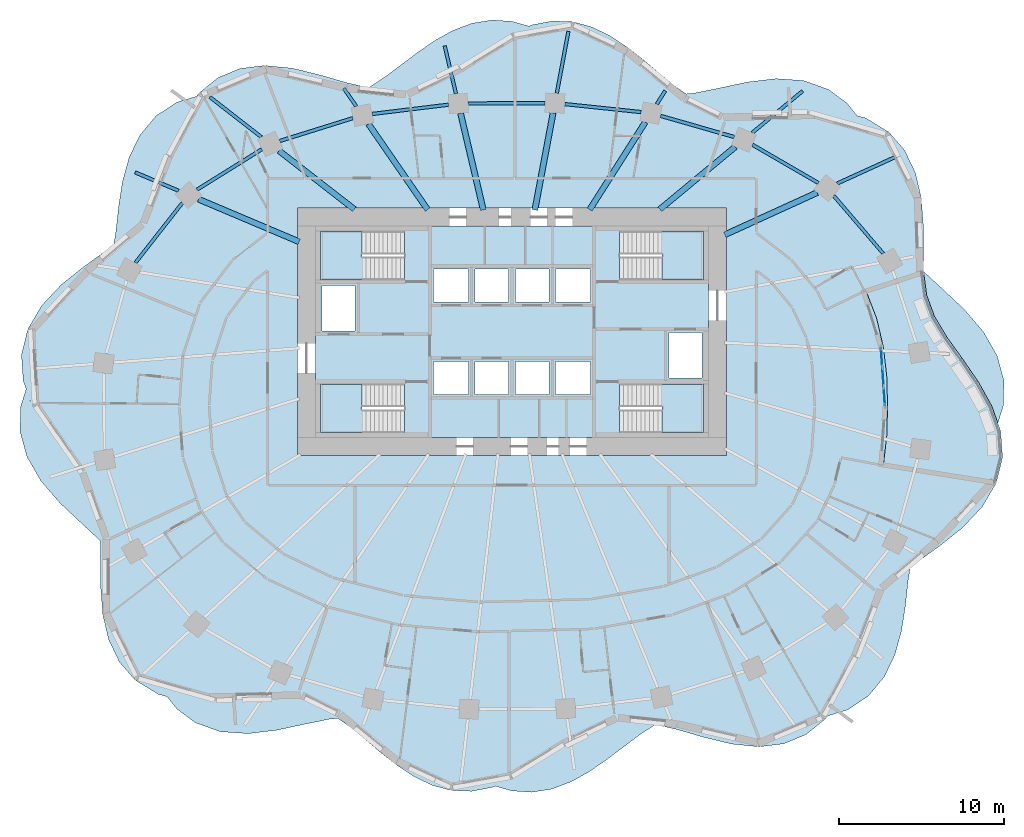
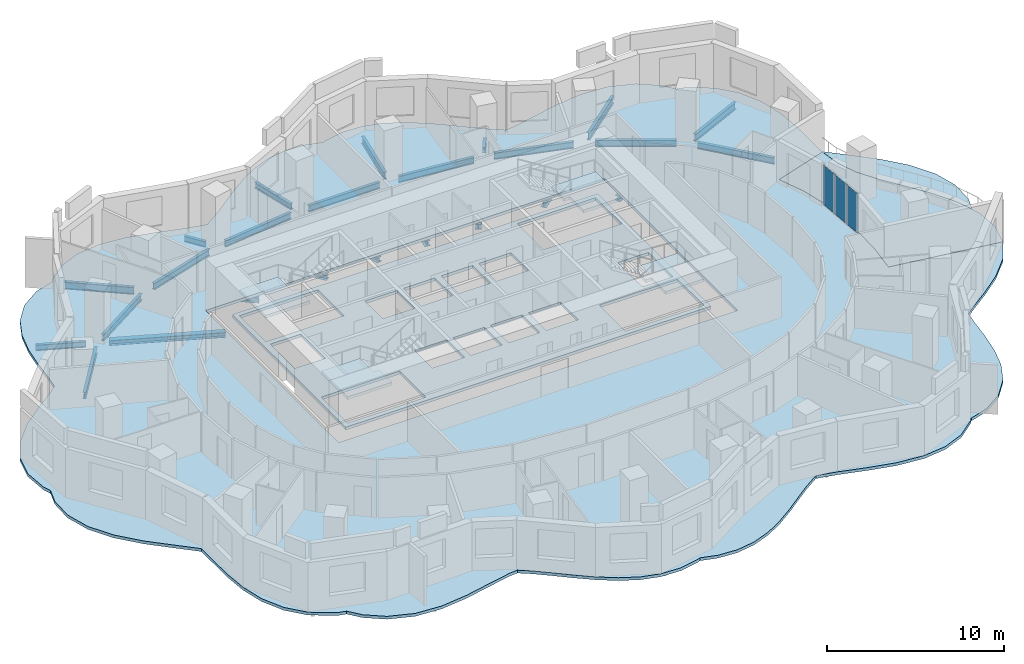
# One storey, part 3 of 13: 25 beams, 7 slabs, 3 plates, 5 elements without a shape of their own.
"""IFC4 building model written with IfcOpenShell, lengths in metres."""

from ifc_helpers import new_model, si_unit, direction, frame, origin, origin_2d, place, context, subcontext, project, spatial, polyline, rectangle, i_section, outline, extrude, material, layer, layer_set, material_profile, profile_set, type_object, element, aggregate, save


model = new_model("IFC4")

# Units and contexts
model_context = context("Model", 3, precision=1e-05, world=origin(), true_north=direction((0.0, 1.0)))
body_context = subcontext(model_context, "Body", "Model", "MODEL_VIEW")
ifc_project = project(units=[si_unit("LENGTHUNIT", "METRE"), si_unit("AREAUNIT", "SQUARE_METRE"), si_unit("VOLUMEUNIT", "CUBIC_METRE"), si_unit("PLANEANGLEUNIT", "RADIAN"), si_unit("MASSUNIT", "GRAM", prefix="KILO")], contexts=[model_context])

# Site, building, storey
site_placement = place(None, origin())
site = spatial("IfcSite", under=ifc_project, at=site_placement, CompositionType="ELEMENT")
building_placement = place(site_placement, origin())
building = spatial("IfcBuilding", under=site, at=building_placement, Name="Rubra Terraces Tower", CompositionType="ELEMENT")
storey_placement = place(building_placement, frame((0.0, 0.0, 85.199951171875)))
storey = spatial("IfcBuildingStorey", under=building, at=storey_placement, Name="L19", CompositionType="ELEMENT", Elevation=85.199951171875)

# Beams
ifc_material_1 = material(Name="Steel Q355B", Category="steel")
ifc_material_profile_1 = material_profile(ifc_material_1, i_section(OverallWidth=0.199951171875, OverallDepth=0.39990234375, WebThickness=0.008056640625, FlangeThickness=0.012939453125, at=origin_2d()), Name="HN 400x200x8x13")
ifc_profile_set_1 = profile_set([ifc_material_profile_1], Name="Steel Q355B")
beam_type_1 = type_object("IfcBeamType", Name="CANTILEVER BEAM HN 400x200x8x13", PredefinedType="BEAM", material=ifc_profile_set_1)
beam_1_placement = place(storey_placement, frame((-3.39306640625, 18.922119140625, -0.39990234375), z_axis=(-0.229208331065, 0.973377388771, 0.0), x_axis=(-0.973377388771, -0.229208331065, 0.0)))
element("IfcBeam", 1, at=beam_1_placement, inside=storey, type_object=beam_type_1, Name="beam-L19-cant-07", PredefinedType="BEAM", context=body_context, shape_type="SweptSolid", body=[
    extrude(i_section(OverallWidth=0.199951171875, OverallDepth=0.39990234375, WebThickness=0.008056640625, FlangeThickness=0.012939453125, at=origin_2d()), origin(), (0.0, 0.0, 1.0), 2.979248046875),
])
beam_2_placement = place(storey_placement, frame((-20.202880859375, 13.048095703125, -0.39990234375), z_axis=(-0.920934147462, 0.389718226465, 0.0), x_axis=(-0.389718226465, -0.920934147462, 0.0)))
element("IfcBeam", 2, at=beam_2_placement, inside=storey, type_object=beam_type_1, Name="beam-L19-cant-10", PredefinedType="BEAM", context=body_context, shape_type="SweptSolid", body=[
    extrude(i_section(OverallWidth=0.199951171875, OverallDepth=0.39990234375, WebThickness=0.008056640625, FlangeThickness=0.012939453125, at=origin_2d()), origin(), (0.0, 0.0, 1.0), 2.850341796875),
])
ifc_material_profile_2 = material_profile(ifc_material_1, i_section(OverallWidth=0.198974609375, OverallDepth=0.49609375, WebThickness=0.009033203125, FlangeThickness=0.013916015625, at=origin_2d()), Name="HN 496x199x9x14")
ifc_profile_set_2 = profile_set([ifc_material_profile_2], Name="Steel Q355B")
beam_type_2 = type_object("IfcBeamType", Name="CANTILEVER BEAM HN 496x199x9x14", PredefinedType="BEAM", material=ifc_profile_set_2)
beam_3_placement = place(storey_placement, frame((19.697998046875, 13.485107421875, -0.447998046875), z_axis=(0.909768687771, 0.415115567947, 0.0), x_axis=(-0.415115567947, 0.909768687771, 0.0)))
element("IfcBeam", 3, at=beam_3_placement, inside=storey, type_object=beam_type_2, Name="beam-L19-cant-03", PredefinedType="BEAM", context=body_context, shape_type="SweptSolid", body=[
    extrude(i_section(OverallWidth=0.198974609375, OverallDepth=0.49609375, WebThickness=0.009033203125, FlangeThickness=0.013916015625, at=origin_2d()), origin(), (0.0, 0.0, 1.0), 3.950439453125),
])
beam_4_placement = place(storey_placement, frame((14.56201171875, 16.56689453125, -0.447998046875), z_axis=(0.769981645212, 0.638066035796, 0.0), x_axis=(-0.638066035796, 0.769981645212, 0.0)))
element("IfcBeam", 4, at=beam_4_placement, inside=storey, type_object=beam_type_2, Name="beam-L19-cant-04", PredefinedType="BEAM", context=body_context, shape_type="SweptSolid", body=[
    extrude(i_section(OverallWidth=0.198974609375, OverallDepth=0.49609375, WebThickness=0.009033203125, FlangeThickness=0.013916015625, at=origin_2d()), origin(), (0.0, 0.0, 1.0), 3.949462890625),
])
beam_5_placement = place(storey_placement, frame((2.714111328125, 18.952880859375, -0.447998046875), z_axis=(0.184412291305, 0.982848974571, 0.0), x_axis=(-0.982848974571, 0.184412291305, 0.0)))
element("IfcBeam", 5, at=beam_5_placement, inside=storey, type_object=beam_type_2, Name="beam-L19-cant-06", PredefinedType="BEAM", context=body_context, shape_type="SweptSolid", body=[
    extrude(i_section(OverallWidth=0.198974609375, OverallDepth=0.49609375, WebThickness=0.009033203125, FlangeThickness=0.013916015625, at=origin_2d()), origin(), (0.0, 0.0, 1.0), 3.8115234375),
])
beam_6_placement = place(storey_placement, frame((-15.177001953125, 16.2958984375, -0.447998046875), z_axis=(-0.789565161109, 0.613666730696, 0.0), x_axis=(-0.613666730696, -0.789565161109, 0.0)))
element("IfcBeam", 6, at=beam_6_placement, inside=storey, type_object=beam_type_2, Name="beam-L19-cant-09", PredefinedType="BEAM", context=body_context, shape_type="SweptSolid", body=[
    extrude(i_section(OverallWidth=0.198974609375, OverallDepth=0.49609375, WebThickness=0.009033203125, FlangeThickness=0.013916015625, at=origin_2d()), origin(), (0.0, 0.0, 1.0), 3.9501953125),
])
ifc_material_profile_3 = material_profile(ifc_material_1, i_section(OverallWidth=0.199951171875, OverallDepth=0.39990234375, WebThickness=0.008056640625, FlangeThickness=0.012939453125, at=origin_2d()), Name="HN 400x200x8x13")
ifc_profile_set_3 = profile_set([ifc_material_profile_3], Name="Steel Q355B")
beam_type_3 = type_object("IfcBeamType", Name="CANTILEVER STUB HN 400x200x8x13", PredefinedType="BEAM", material=ifc_profile_set_3)
beam_7_placement = place(storey_placement, frame((8.76806640625, 18.29296875, -0.39990234375), z_axis=(0.536431047595, 0.843944151693, 0.0), x_axis=(-0.843944151693, 0.536431047595, 0.0)))
element("IfcBeam", 7, at=beam_7_placement, inside=storey, type_object=beam_type_3, Name="beam-L19-cant-05", PredefinedType="BEAM", context=body_context, shape_type="SweptSolid", body=[
    extrude(i_section(OverallWidth=0.199951171875, OverallDepth=0.39990234375, WebThickness=0.008056640625, FlangeThickness=0.012939453125, at=origin_2d()), origin(), (0.0, 0.0, 1.0), 0.9599609375),
])
beam_8_placement = place(storey_placement, frame((-9.431884765625, 18.158935546875, -0.39990234375), z_axis=(-0.56825300063, 0.822853891815, 0.0), x_axis=(-0.822853891815, -0.56825300063, 0.0)))
element("IfcBeam", 8, at=beam_8_placement, inside=storey, type_object=beam_type_3, Name="beam-L19-cant-08", PredefinedType="BEAM", context=body_context, shape_type="SweptSolid", body=[
    extrude(i_section(OverallWidth=0.199951171875, OverallDepth=0.39990234375, WebThickness=0.008056640625, FlangeThickness=0.012939453125, at=origin_2d()), origin(), (0.0, 0.0, 1.0), 1.3271484375),
])
ifc_material_profile_4 = material_profile(ifc_material_1, i_section(OverallWidth=0.35009765625, OverallDepth=0.35009765625, WebThickness=0.011962890625, FlangeThickness=0.01904296875, at=origin_2d()), Name="HW 350x350x12x19")
ifc_profile_set_4 = profile_set([ifc_material_profile_4], Name="Steel Q355B")
beam_type_4 = type_object("IfcBeamType", Name="FLOOR BEAM HW 350x350x12x19", PredefinedType="BEAM", material=ifc_profile_set_4)
beam_9_placement = place(storey_placement, frame((18.486083984375, 12.93310546875, -0.375), z_axis=(-0.909749612827, -0.415157370116, 0.0), x_axis=(0.415157370116, -0.909749612827, 0.0)))
element("IfcBeam", 9, at=beam_9_placement, inside=storey, type_object=beam_type_4, Name="beam-L19-floor-03", PredefinedType="BEAM", context=body_context, shape_type="SweptSolid", body=[
    extrude(i_section(OverallWidth=0.35009765625, OverallDepth=0.35009765625, WebThickness=0.011962890625, FlangeThickness=0.01904296875, at=origin_2d()), origin(), (0.0, 0.0, 1.0), 6.14990234375),
])
beam_10_placement = place(storey_placement, frame((13.52197265625, 15.705078125, -0.375), z_axis=(-0.769987448283, -0.638059032917, 0.0), x_axis=(0.638059032917, -0.769987448283, 0.0)))
element("IfcBeam", 10, at=beam_10_placement, inside=storey, type_object=beam_type_4, Name="beam-L19-floor-04", PredefinedType="BEAM", context=body_context, shape_type="SweptSolid", body=[
    extrude(i_section(OverallWidth=0.35009765625, OverallDepth=0.35009765625, WebThickness=0.011962890625, FlangeThickness=0.01904296875, at=origin_2d()), origin(), (0.0, 0.0, 1.0), 5.92724609375),
])
beam_11_placement = place(storey_placement, frame((8.075927734375, 17.205078125, -0.375), z_axis=(-0.536468405163, -0.843920405169, 0.0), x_axis=(0.843920405169, -0.536468405163, 0.0)))
element("IfcBeam", 11, at=beam_11_placement, inside=storey, type_object=beam_type_4, Name="beam-L19-floor-05", PredefinedType="BEAM", context=body_context, shape_type="SweptSolid", body=[
    extrude(i_section(OverallWidth=0.35009765625, OverallDepth=0.35009765625, WebThickness=0.011962890625, FlangeThickness=0.01904296875, at=origin_2d()), origin(), (0.0, 0.0, 1.0), 6.28759765625),
])
beam_12_placement = place(storey_placement, frame((2.489990234375, 17.762939453125, -0.375), z_axis=(-0.184505318504, -0.982831515288, 0.0), x_axis=(0.982831515288, -0.184505318504, 0.0)))
element("IfcBeam", 12, at=beam_12_placement, inside=storey, type_object=beam_type_4, Name="beam-L19-floor-06", PredefinedType="BEAM", context=body_context, shape_type="SweptSolid", body=[
    extrude(i_section(OverallWidth=0.35009765625, OverallDepth=0.35009765625, WebThickness=0.011962890625, FlangeThickness=0.01904296875, at=origin_2d()), origin(), (0.0, 0.0, 1.0), 5.983642578125),
])
beam_13_placement = place(storey_placement, frame((-3.114990234375, 17.738037109375, -0.375), z_axis=(0.229084580284, -0.973406520975, 0.0), x_axis=(0.973406520975, 0.229084580284, 0.0)))
element("IfcBeam", 13, at=beam_13_placement, inside=storey, type_object=beam_type_4, Name="beam-L19-floor-07", PredefinedType="BEAM", context=body_context, shape_type="SweptSolid", body=[
    extrude(i_section(OverallWidth=0.35009765625, OverallDepth=0.35009765625, WebThickness=0.011962890625, FlangeThickness=0.01904296875, at=origin_2d()), origin(), (0.0, 0.0, 1.0), 6.014892578125),
])
beam_14_placement = place(storey_placement, frame((-8.694091796875, 17.091064453125, -0.375), z_axis=(0.568116443955, -0.822948179479, 0.0), x_axis=(0.822948179479, 0.568116443955, 0.0)))
element("IfcBeam", 14, at=beam_14_placement, inside=storey, type_object=beam_type_4, Name="beam-L19-floor-08", PredefinedType="BEAM", context=body_context, shape_type="SweptSolid", body=[
    extrude(i_section(OverallWidth=0.35009765625, OverallDepth=0.35009765625, WebThickness=0.011962890625, FlangeThickness=0.01904296875, at=origin_2d()), origin(), (0.0, 0.0, 1.0), 6.306884765625),
])
beam_15_placement = place(storey_placement, frame((-14.10888671875, 15.466064453125, -0.375), z_axis=(0.789514006973, -0.613732541742, 0.0), x_axis=(0.613732541742, 0.789514006973, 0.0)))
element("IfcBeam", 15, at=beam_15_placement, inside=storey, type_object=beam_type_4, Name="beam-L19-floor-09", PredefinedType="BEAM", context=body_context, shape_type="SweptSolid", body=[
    extrude(i_section(OverallWidth=0.35009765625, OverallDepth=0.35009765625, WebThickness=0.011962890625, FlangeThickness=0.01904296875, at=origin_2d()), origin(), (0.0, 0.0, 1.0), 5.76806640625),
])
beam_16_placement = place(storey_placement, frame((-18.98291015625, 12.531982421875, -0.375), z_axis=(0.920986092, -0.389595454726, 0.0), x_axis=(0.389595454726, 0.920986092, 0.0)))
element("IfcBeam", 16, at=beam_16_placement, inside=storey, type_object=beam_type_4, Name="beam-L19-floor-10", PredefinedType="BEAM", context=body_context, shape_type="SweptSolid", body=[
    extrude(i_section(OverallWidth=0.35009765625, OverallDepth=0.35009765625, WebThickness=0.011962890625, FlangeThickness=0.01904296875, at=origin_2d()), origin(), (0.0, 0.0, 1.0), 6.61669921875),
])
ifc_material_profile_5 = material_profile(ifc_material_1, i_section(OverallWidth=0.198974609375, OverallDepth=0.446044921875, WebThickness=0.008056640625, FlangeThickness=0.011962890625, at=origin_2d()), Name="HN 446x199x8x12")
ifc_profile_set_5 = profile_set([ifc_material_profile_5], Name="Steel Q355B")
beam_type_5 = type_object("IfcBeamType", Name="SPANDREL BEAM HN 446x199x8x12", PredefinedType="SPANDREL", material=ifc_profile_set_5)
beam_17_placement = place(storey_placement, frame((22.48095703125, 9.251953125, -0.4228515625), z_axis=(-0.650428637413, 0.759567368726, 0.0), x_axis=(-0.759567368726, -0.650428637413, 0.0)))
element("IfcBeam", 17, at=beam_17_placement, inside=storey, type_object=beam_type_5, Name="beam-L19-spandrel-02", PredefinedType="SPANDREL", context=body_context, shape_type="SweptSolid", body=[
    extrude(i_section(OverallWidth=0.198974609375, OverallDepth=0.446044921875, WebThickness=0.008056640625, FlangeThickness=0.011962890625, at=origin_2d()), origin(), (0.0, 0.0, 1.0), 4.6015625),
])
beam_18_placement = place(storey_placement, frame((18.56494140625, 13.513916015625, -0.4228515625), z_axis=(-0.865116425734, 0.501571101565, 0.0), x_axis=(-0.501571101565, -0.865116425734, 0.0)))
element("IfcBeam", 18, at=beam_18_placement, inside=storey, type_object=beam_type_5, Name="beam-L19-spandrel-03", PredefinedType="SPANDREL", context=body_context, shape_type="SweptSolid", body=[
    extrude(i_section(OverallWidth=0.198974609375, OverallDepth=0.446044921875, WebThickness=0.008056640625, FlangeThickness=0.011962890625, at=origin_2d()), origin(), (0.0, 0.0, 1.0), 4.62353515625),
])
beam_19_placement = place(storey_placement, frame((13.4609375, 16.302978515625, -0.4228515625), z_axis=(-0.961195652649, 0.275867572085, 0.0), x_axis=(-0.275867572085, -0.961195652649, 0.0)))
element("IfcBeam", 19, at=beam_19_placement, inside=storey, type_object=beam_type_5, Name="beam-L19-spandrel-04", PredefinedType="SPANDREL", context=body_context, shape_type="SweptSolid", body=[
    extrude(i_section(OverallWidth=0.198974609375, OverallDepth=0.446044921875, WebThickness=0.008056640625, FlangeThickness=0.011962890625, at=origin_2d()), origin(), (0.0, 0.0, 1.0), 4.639892578125),
])
beam_20_placement = place(storey_placement, frame((7.822998046875, 17.81201171875, -0.4228515625), z_axis=(-0.994588599148, 0.103891859374, 0.0), x_axis=(-0.103891859374, -0.994588599148, 0.0)))
element("IfcBeam", 20, at=beam_20_placement, inside=storey, type_object=beam_type_5, Name="beam-L19-spandrel-05", PredefinedType="SPANDREL", context=body_context, shape_type="SweptSolid", body=[
    extrude(i_section(OverallWidth=0.198974609375, OverallDepth=0.446044921875, WebThickness=0.008056640625, FlangeThickness=0.011962890625, at=origin_2d()), origin(), (0.0, 0.0, 1.0), 4.648193359375),
])
beam_21_placement = place(storey_placement, frame((2.0009765625, 18.35498046875, -0.4228515625), z_axis=(-0.99998885538, -0.004721135025, 0.0), x_axis=(0.004721135025, -0.99998885538, 0.0)))
element("IfcBeam", 21, at=beam_21_placement, inside=storey, type_object=beam_type_5, Name="beam-L19-spandrel-06", PredefinedType="SPANDREL", context=body_context, shape_type="SweptSolid", body=[
    extrude(i_section(OverallWidth=0.198974609375, OverallDepth=0.446044921875, WebThickness=0.008056640625, FlangeThickness=0.011962890625, at=origin_2d()), origin(), (0.0, 0.0, 1.0), 4.654052734375),
])
beam_22_placement = place(storey_placement, frame((-3.85107421875, 18.258056640625, -0.4228515625), z_axis=(-0.992713612833, -0.120497646851, 0.0), x_axis=(0.120497646851, -0.992713612833, 0.0)))
element("IfcBeam", 22, at=beam_22_placement, inside=storey, type_object=beam_type_5, Name="beam-L19-spandrel-07", PredefinedType="SPANDREL", context=body_context, shape_type="SweptSolid", body=[
    extrude(i_section(OverallWidth=0.198974609375, OverallDepth=0.446044921875, WebThickness=0.008056640625, FlangeThickness=0.011962890625, at=origin_2d()), origin(), (0.0, 0.0, 1.0), 4.64794921875),
])
beam_23_placement = place(storey_placement, frame((-9.637939453125, 17.445068359375, -0.4228515625), z_axis=(-0.954462184919, -0.298331925142, 0.0), x_axis=(0.298331925142, -0.954462184919, 0.0)))
element("IfcBeam", 23, at=beam_23_placement, inside=storey, type_object=beam_type_5, Name="beam-L19-spandrel-08", PredefinedType="SPANDREL", context=body_context, shape_type="SweptSolid", body=[
    extrude(i_section(OverallWidth=0.198974609375, OverallDepth=0.446044921875, WebThickness=0.008056640625, FlangeThickness=0.011962890625, at=origin_2d()), origin(), (0.0, 0.0, 1.0), 4.63916015625),
])
beam_24_placement = place(storey_placement, frame((-15.156005859375, 15.56103515625, -0.4228515625), z_axis=(-0.848188188849, -0.529695003089, 0.0), x_axis=(0.529695003089, -0.848188188849, 0.0)))
element("IfcBeam", 24, at=beam_24_placement, inside=storey, type_object=beam_type_5, Name="beam-L19-spandrel-09", PredefinedType="SPANDREL", context=body_context, shape_type="SweptSolid", body=[
    extrude(i_section(OverallWidth=0.198974609375, OverallDepth=0.446044921875, WebThickness=0.008056640625, FlangeThickness=0.011962890625, at=origin_2d()), origin(), (0.0, 0.0, 1.0), 4.62158203125),
])
beam_25_placement = place(storey_placement, frame((-19.968994140625, 12.31103515625, -0.4228515625), z_axis=(-0.61694919408, -0.787002980886, 0.0), x_axis=(0.787002980886, -0.61694919408, 0.0)))
element("IfcBeam", 25, at=beam_25_placement, inside=storey, type_object=beam_type_5, Name="beam-L19-spandrel-10", PredefinedType="SPANDREL", context=body_context, shape_type="SweptSolid", body=[
    extrude(i_section(OverallWidth=0.198974609375, OverallDepth=0.446044921875, WebThickness=0.008056640625, FlangeThickness=0.011962890625, at=origin_2d()), origin(), (0.0, 0.0, 1.0), 4.599853515625),
])

# Slab
ifc_material_2 = material(Name="Concrete C40", Category="concrete")
ifc_layer_1 = layer(ifc_material_2, 0.199951171875)
ifc_layer_set_1 = layer_set([ifc_layer_1], Name="Concrete C40")
slab_type_1 = type_object("IfcSlabType", Name="Core floor slab 200 concrete", PredefinedType="FLOOR", material=ifc_layer_set_1)
slab_1_placement = place(storey_placement, frame((0.0, 0.0, -0.199951171875)))
element("IfcSlab", 26, at=slab_1_placement, inside=storey, type_object=slab_type_1, Name="CORE FLOOR SLAB L19", PredefinedType="FLOOR", context=body_context, shape_type="SweptSolid", body=[
    extrude(outline(polyline([(-11.89990234375, -1.89990234375), (-11.89990234375, 10.89990234375), (11.89990234375, 10.89990234375), (11.89990234375, -1.89990234375), (-11.89990234375, -1.89990234375)]), holes=[polyline([(11.597900390625, 1.347900390625), (6.501953125, 1.347900390625), (6.501953125, -1.597900390625), (11.597900390625, -1.597900390625), (11.597900390625, 1.347900390625)]), polyline([(11.597900390625, 7.652099609375), (11.597900390625, 10.597900390625), (6.501953125, 10.597900390625), (6.501953125, 7.652099609375), (11.597900390625, 7.652099609375)]), polyline([(9.5, 1.699951171875), (11.5, 1.699951171875), (11.5, 4.449951171875), (9.5, 4.449951171875), (9.5, 1.699951171875)]), polyline([(4.75, 0.699951171875), (4.75, 2.699951171875), (2.64990234375, 2.699951171875), (2.64990234375, 0.699951171875), (4.75, 0.699951171875)]), polyline([(4.75, 6.300048828125), (4.75, 8.300048828125), (2.64990234375, 8.300048828125), (2.64990234375, 6.300048828125), (4.75, 6.300048828125)]), polyline([(2.25, 0.699951171875), (2.25, 2.699951171875), (0.199951171875, 2.699951171875), (0.199951171875, 0.699951171875), (2.25, 0.699951171875)]), polyline([(2.25, 6.300048828125), (2.25, 8.300048828125), (0.199951171875, 8.300048828125), (0.199951171875, 6.300048828125), (2.25, 6.300048828125)]), polyline([(-0.199951171875, 0.699951171875), (-0.199951171875, 2.699951171875), (-2.25, 2.699951171875), (-2.25, 0.699951171875), (-0.199951171875, 0.699951171875)]), polyline([(-0.199951171875, 6.300048828125), (-0.199951171875, 8.300048828125), (-2.25, 8.300048828125), (-2.25, 6.300048828125), (-0.199951171875, 6.300048828125)]), polyline([(-2.64990234375, 0.699951171875), (-2.64990234375, 2.699951171875), (-4.75, 2.699951171875), (-4.75, 0.699951171875), (-2.64990234375, 0.699951171875)]), polyline([(-2.64990234375, 8.300048828125), (-4.75, 8.300048828125), (-4.75, 6.300048828125), (-2.64990234375, 6.300048828125), (-2.64990234375, 8.300048828125)]), polyline([(-11.597900390625, -1.597900390625), (-6.501953125, -1.597900390625), (-6.501953125, 1.347900390625), (-11.597900390625, 1.347900390625), (-11.597900390625, -1.597900390625)]), polyline([(-11.597900390625, 10.597900390625), (-11.597900390625, 7.652099609375), (-6.501953125, 7.652099609375), (-6.501953125, 10.597900390625), (-11.597900390625, 10.597900390625)]), polyline([(-9.5, 4.550048828125), (-9.5, 7.300048828125), (-11.5, 7.300048828125), (-11.5, 4.550048828125), (-9.5, 4.550048828125)])]), origin(), (0.0, 0.0, 1.0), 0.199951171875),
])

# Stair, slab
stair_type = type_object("IfcStairType", Name="Core stair 1400", PredefinedType="HALF_TURN_STAIR", material=ifc_material_2)
stair_1_placement = place(storey_placement, origin())
stair_1 = element("IfcStair", 27, at=stair_1_placement, inside=storey, type_object=stair_type, Name="L19 Exit stair S1", PredefinedType="HALF_TURN_STAIR")
ifc_layer_2 = layer(ifc_material_2, 0.199951171875)
ifc_layer_set_2 = layer_set([ifc_layer_2], Name="Concrete C40")
slab_type_2 = type_object("IfcSlabType", Name="Core stair landing 200", PredefinedType="LANDING", material=ifc_layer_set_2)
slab_2_placement = place(storey_placement, frame((0.0, 0.0, 1.60009765625)))
slab_2 = element("IfcSlab", 28, at=slab_2_placement, type_object=slab_type_2, Name="S1 landing 1", PredefinedType="LANDING", context=body_context, shape_type="SweptSolid", body=[
    extrude(outline(polyline([(-8.719970703125, -0.199951171875), (-8.719970703125, -1.60009765625), (-9.10009765625, -1.60009765625), (-9.1201171875, -1.60009765625), (-11.60009765625, -1.60009765625), (-11.60009765625, 1.35009765625), (-9.1201171875, 1.35009765625), (-9.097900390625, 1.35009765625), (-9.097900390625, -0.050048828125), (-9.10009765625, -0.050048828125), (-9.10009765625, -0.199951171875), (-8.719970703125, -0.199951171875)])), origin(), (0.0, 0.0, 1.0), 0.199951171875),
])
aggregate(stair_1, [slab_2])

stair_2_placement = place(storey_placement, origin())
stair_2 = element("IfcStair", 29, at=stair_2_placement, inside=storey, type_object=stair_type, Name="L19 Exit stair S2", PredefinedType="HALF_TURN_STAIR")
slab_3_placement = place(storey_placement, frame((0.0, 0.0, 1.60009765625)))
slab_3 = element("IfcSlab", 30, at=slab_3_placement, type_object=slab_type_2, Name="S2 landing 1", PredefinedType="LANDING", context=body_context, shape_type="SweptSolid", body=[
    extrude(outline(polyline([(-8.719970703125, 9.050048828125), (-8.719970703125, 7.64990234375), (-9.1201171875, 7.64990234375), (-11.60009765625, 7.64990234375), (-11.60009765625, 10.60009765625), (-9.1201171875, 10.60009765625), (-9.10009765625, 10.60009765625), (-9.097900390625, 10.60009765625), (-9.097900390625, 9.199951171875), (-9.10009765625, 9.199951171875), (-9.10009765625, 9.050048828125), (-8.719970703125, 9.050048828125)])), origin(), (0.0, 0.0, 1.0), 0.199951171875),
])
aggregate(stair_2, [slab_3])

stair_3_placement = place(storey_placement, origin())
stair_3 = element("IfcStair", 31, at=stair_3_placement, inside=storey, type_object=stair_type, Name="L19 Exit stair S3", PredefinedType="HALF_TURN_STAIR")
slab_4_placement = place(storey_placement, frame((0.0, 0.0, 1.60009765625)))
slab_4 = element("IfcSlab", 32, at=slab_4_placement, type_object=slab_type_2, Name="S3 landing 1", PredefinedType="LANDING", context=body_context, shape_type="SweptSolid", body=[
    extrude(outline(polyline([(9.10009765625, 9.050048828125), (9.10009765625, 9.199951171875), (8.719970703125, 9.199951171875), (8.719970703125, 10.60009765625), (9.10009765625, 10.60009765625), (9.1201171875, 10.60009765625), (11.60009765625, 10.60009765625), (11.60009765625, 7.64990234375), (9.1201171875, 7.64990234375), (9.097900390625, 7.64990234375), (9.097900390625, 9.050048828125), (9.10009765625, 9.050048828125)])), origin(), (0.0, 0.0, 1.0), 0.199951171875),
])
aggregate(stair_3, [slab_4])

stair_4_placement = place(storey_placement, origin())
stair_4 = element("IfcStair", 33, at=stair_4_placement, inside=storey, type_object=stair_type, Name="L19 Exit stair S4", PredefinedType="HALF_TURN_STAIR")
slab_5_placement = place(storey_placement, frame((0.0, 0.0, 1.60009765625)))
slab_5 = element("IfcSlab", 34, at=slab_5_placement, type_object=slab_type_2, Name="S4 landing 1", PredefinedType="LANDING", context=body_context, shape_type="SweptSolid", body=[
    extrude(outline(polyline([(9.10009765625, -0.199951171875), (9.10009765625, -0.050048828125), (8.719970703125, -0.050048828125), (8.719970703125, 1.35009765625), (9.10009765625, 1.35009765625), (9.1201171875, 1.35009765625), (11.60009765625, 1.35009765625), (11.60009765625, -1.60009765625), (9.1201171875, -1.60009765625), (9.10009765625, -1.60009765625), (9.097900390625, -1.60009765625), (9.097900390625, -0.199951171875), (9.10009765625, -0.199951171875)])), origin(), (0.0, 0.0, 1.0), 0.199951171875),
])
aggregate(stair_4, [slab_5])

# Slabs
ifc_layer_3 = layer(ifc_material_2, 0.199951171875)
ifc_layer_set_3 = layer_set([ifc_layer_3], Name="Concrete C40")
slab_type_3 = type_object("IfcSlabType", Name="FLOOR SLAB 200 COMPOSITE", PredefinedType="FLOOR", material=ifc_layer_set_3)
slab_6_placement = place(storey_placement, frame((0.0, 0.0, -0.199951171875)))
element("IfcSlab", 35, at=slab_6_placement, inside=storey, type_object=slab_type_3, Name="FLOOR SLAB L19", PredefinedType="FLOOR", context=body_context, shape_type="SweptSolid", body=[
    extrude(outline(polyline([(11.056884765625, 18.9619140625), (10.547119140625, 18.9189453125), (9.8779296875, 19.385986328125), (8.966064453125, 20.132080078125), (8.028076171875, 20.926025390625), (7.051025390625, 21.700927734375), (5.968994140625, 22.422119140625), (4.843994140625, 22.967041015625), (3.68701171875, 23.281982421875), (2.450927734375, 23.33203125), (1.217041015625, 23.095947265625), (1.02099609375, 23.01904296875), (0.0, 23.306884765625), (-1.201904296875, 23.389892578125), (-2.408935546875, 23.197998046875), (-3.60302734375, 22.7470703125), (-4.675048828125, 22.14794921875), (-5.714111328125, 21.43408203125), (-6.718017578125, 20.675048828125), (-7.68701171875, 19.948974609375), (-8.639892578125, 19.31689453125), (-8.69189453125, 19.2900390625), (-9.97998046875, 19.5869140625), (-11.60498046875, 20.055908203125), (-13.2958984375, 20.468994140625), (-14.993896484375, 20.637939453125), (-16.469970703125, 20.4541015625), (-17.81298828125, 19.89404296875), (-18.964111328125, 18.964111328125), (-19.114013671875, 18.77001953125), (-20.320068359375, 18.403076171875), (-21.5791015625, 17.572998046875), (-22.55908203125, 16.389892578125), (-23.196044921875, 15.06103515625), (-23.595947265625, 13.60791015625), (-23.824951171875, 12.139892578125), (-23.992919921875, 10.60107421875), (-24.117919921875, 9.81396484375), (-24.5869140625, 9.424072265625), (-25.9599609375, 8.43505859375), (-27.302001953125, 7.363037109375), (-28.489990234375, 6.096923828125), (-29.337890625, 4.64697265625), (-29.717041015625, 3.10107421875), (-29.60595703125, 1.52587890625), (-29.06689453125, 0.0), (-29.43310546875, 1.035888671875), (-29.757080078125, 0.0), (-29.802978515625, -1.535888671875), (-29.383056640625, -3.072021484375), (-28.547119140625, -4.52099609375), (-27.39111328125, -5.866943359375), (-26.136962890625, -7.0458984375), (-24.98291015625, -8.116943359375), (-24.93310546875, -8.175048828125), (-24.9169921875, -9.5029296875), (-24.9150390625, -11.032958984375), (-24.7890625, -12.631103515625), (-24.43603515625, -14.136962890625), (-23.7900390625, -15.491943359375), (-22.839111328125, -16.593017578125), (-21.4150390625, -17.4619140625), (-20.902099609375, -17.594970703125), (-20.301025390625, -18.346923828125), (-19.179931640625, -19.179931640625), (-17.657958984375, -19.72412109375), (-15.985107421875, -19.839111328125), (-14.263916015625, -19.633056640625), (-12.615966796875, -19.281005859375), (-11.056884765625, -18.9619140625), (-10.547119140625, -18.9189453125), (-9.8779296875, -19.385986328125), (-8.966064453125, -20.132080078125), (-8.028076171875, -20.926025390625), (-7.051025390625, -21.700927734375), (-5.968994140625, -22.422119140625), (-4.843994140625, -22.967041015625), (-3.68701171875, -23.281982421875), (-2.450927734375, -23.33203125), (-1.217041015625, -23.095947265625), (-1.02099609375, -23.01904296875), (0.0, -23.306884765625), (1.201904296875, -23.389892578125), (2.408935546875, -23.197998046875), (3.60302734375, -22.7470703125), (4.675048828125, -22.14794921875), (5.714111328125, -21.43408203125), (6.718017578125, -20.675048828125), (7.68701171875, -19.948974609375), (8.639892578125, -19.31689453125), (8.69189453125, -19.2900390625), (9.97998046875, -19.5869140625), (11.60498046875, -20.055908203125), (13.2958984375, -20.468994140625), (14.993896484375, -20.637939453125), (16.469970703125, -20.4541015625), (17.81298828125, -19.89404296875), (18.964111328125, -18.964111328125), (19.114013671875, -18.77001953125), (20.320068359375, -18.403076171875), (21.5791015625, -17.572998046875), (22.55908203125, -16.389892578125), (23.196044921875, -15.06103515625), (23.595947265625, -13.60791015625), (23.824951171875, -12.139892578125), (23.992919921875, -10.60107421875), (24.117919921875, -9.81396484375), (24.5869140625, -9.424072265625), (25.9599609375, -8.43505859375), (27.302001953125, -7.363037109375), (28.489990234375, -6.096923828125), (29.337890625, -4.64697265625), (22.4990234375, -3.56396484375), (22.701904296875, -1.787109375), (22.75, 0.0), (22.701904296875, 1.787109375), (22.4990234375, 3.56396484375), (22.092041015625, 5.302978515625), (21.452880859375, 6.969970703125), (24.93408203125, 8.10107421875), (25.1220703125, 6.714111328125), (25.591064453125, 5.43603515625), (26.34912109375, 4.173095703125), (27.278076171875, 2.87890625), (28.240966796875, 1.47998046875), (29.06689453125, 0.0), (29.43310546875, -1.035888671875), (29.757080078125, 0.0), (29.802978515625, 1.535888671875), (29.383056640625, 3.072021484375), (28.547119140625, 4.52099609375), (27.39111328125, 5.866943359375), (26.136962890625, 7.0458984375), (24.98291015625, 8.116943359375), (24.93310546875, 8.175048828125), (24.9169921875, 9.5029296875), (24.9150390625, 11.032958984375), (24.7890625, 12.631103515625), (24.43603515625, 14.136962890625), (23.7900390625, 15.491943359375), (22.839111328125, 16.593017578125), (21.4150390625, 17.4619140625), (20.902099609375, 17.594970703125), (20.301025390625, 18.346923828125), (19.179931640625, 19.179931640625), (17.657958984375, 19.72412109375), (15.985107421875, 19.839111328125), (14.263916015625, 19.633056640625), (12.615966796875, 19.281005859375), (11.056884765625, 18.9619140625)]), holes=[polyline([(13.0, 12.0), (13.0, -3.0), (-13.0, -3.0), (-13.0, 12.0), (13.0, 12.0)])]), origin(), (0.0, 0.0, 1.0), 0.199951171875),
])
slab_7_placement = place(storey_placement, frame((0.0, 0.0, -0.199951171875)))
element("IfcSlab", 36, at=slab_7_placement, inside=storey, type_object=slab_type_3, Name="TERRACE SLAB L19", PredefinedType="FLOOR", context=body_context, shape_type="SweptSolid", body=[
    extrude(outline(polyline([(29.337890625, -4.64697265625), (29.717041015625, -3.10107421875), (29.60595703125, -1.52587890625), (29.06689453125, 0.0), (28.240966796875, 1.47998046875), (27.278076171875, 2.87890625), (26.34912109375, 4.173095703125), (25.591064453125, 5.43603515625), (25.1220703125, 6.714111328125), (24.93408203125, 8.10107421875), (21.452880859375, 6.969970703125), (22.092041015625, 5.302978515625), (22.4990234375, 3.56396484375), (22.701904296875, 1.787109375), (22.75, 0.0), (22.701904296875, -1.787109375), (22.4990234375, -3.56396484375), (29.337890625, -4.64697265625)])), origin(), (0.0, 0.0, 1.0), 0.199951171875),
])

# Curtain wall, plates
ifc_material_3 = material(Name="Aluminium and glass", Category="aluminium")
curtain_wall_type = type_object("IfcCurtainWallType", Name="Curtain wall Terrace glazing", PredefinedType="NOTDEFINED", material=ifc_material_3)
curtain_wall_placement = place(storey_placement, origin())
curtain_wall = element("IfcCurtainWall", 37, at=curtain_wall_placement, inside=storey, type_object=curtain_wall_type, Name="Terrace glazing L19", PredefinedType="NOTDEFINED")
ifc_material_4 = material(Name="Clear glass, laminated", Category="glass")
ifc_layer_4 = layer(ifc_material_4, 0.028076171875)
ifc_layer_set_4 = layer_set([ifc_layer_4], Name="Clear glass, laminated")
plate_type = type_object("IfcPlateType", Name="Terrace glazing glass panel 28", PredefinedType="CURTAIN_PANEL", material=ifc_layer_set_4)
plate_1_placement = place(storey_placement, frame((22.5576171875, 0.595947265625, 0.10009765625), z_axis=(0.0, 0.0, 1.0), x_axis=(-0.070252480296, 0.997529242184, 0.0)))
plate_1 = element("IfcPlate", 38, at=plate_1_placement, type_object=plate_type, Name="CW3 panel 1.1", PredefinedType="CURTAIN_PANEL", context=body_context, shape_type="SweptSolid", body=[
    extrude(rectangle(XDim=1.115966796875, YDim=0.028076171875, at=origin_2d()), origin(), (0.0, 0.0, 1.0), 2.7041015625),
])
plate_2_placement = place(storey_placement, frame((22.474853515625, 1.771484375, 0.10009765625), z_axis=(0.0, 0.0, 1.0), x_axis=(-0.070252480296, 0.997529242184, 0.0)))
plate_2 = element("IfcPlate", 39, at=plate_2_placement, type_object=plate_type, Name="CW3 panel 2.1", PredefinedType="CURTAIN_PANEL", context=body_context, shape_type="SweptSolid", body=[
    extrude(rectangle(XDim=1.140869140625, YDim=0.028076171875, at=origin_2d()), origin(), (0.0, 0.0, 1.0), 2.7041015625),
])
plate_3_placement = place(storey_placement, frame((22.39208984375, 2.947021484375, 0.10009765625), z_axis=(0.0, 0.0, 1.0), x_axis=(-0.070252480296, 0.997529242184, 0.0)))
plate_3 = element("IfcPlate", 40, at=plate_3_placement, type_object=plate_type, Name="CW3 panel 3.1", PredefinedType="CURTAIN_PANEL", context=body_context, shape_type="SweptSolid", body=[
    extrude(rectangle(XDim=1.115966796875, YDim=0.028076171875, at=origin_2d()), origin(), (0.0, 0.0, 1.0), 2.7041015625),
])
aggregate(curtain_wall, [plate_1, plate_2, plate_3])

save(model, "model.ifc")
